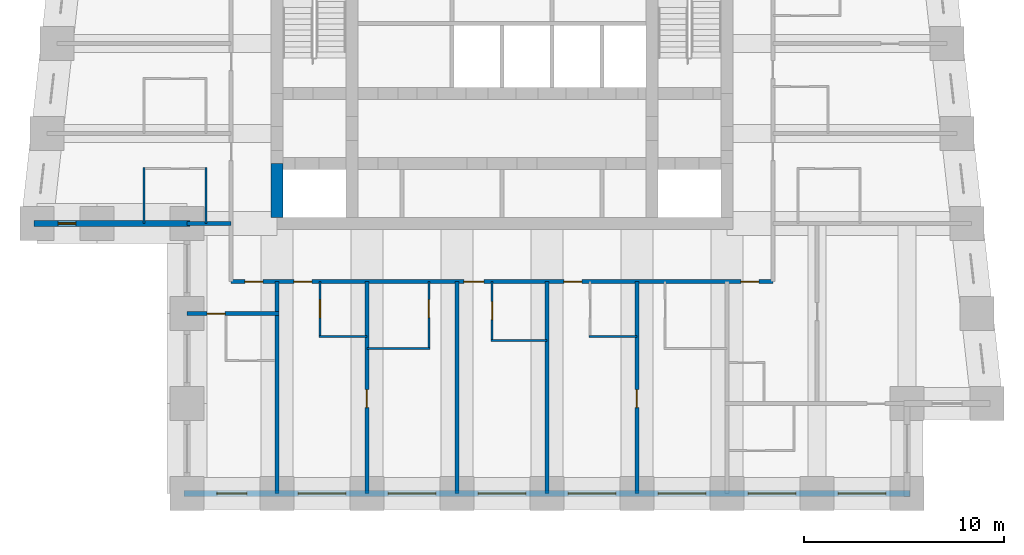
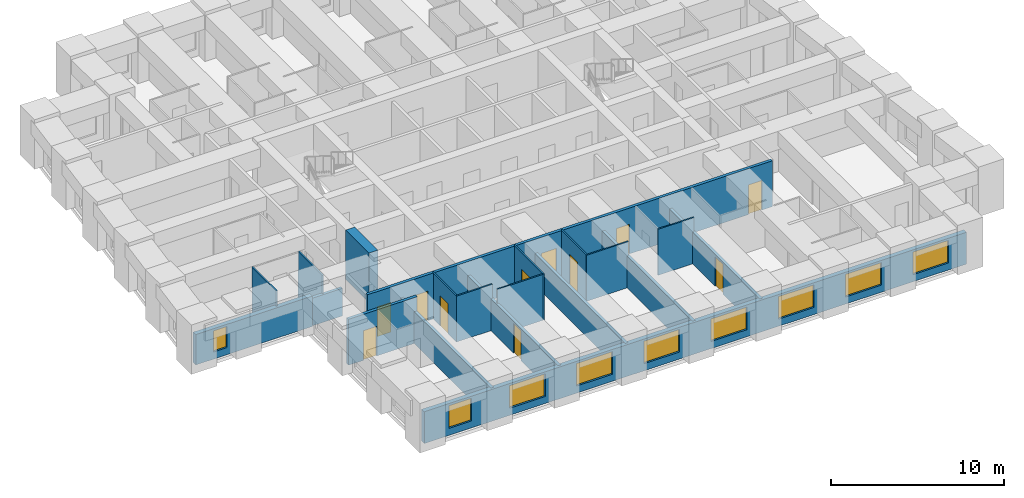
# One storey, part 2 of 8: 20 walls, 11 doors, 9 windows, 20 openings.
"""IFC4 building model written with IfcOpenShell, lengths in metres."""

from ifc_helpers import new_model, si_unit, direction, frame, frame_2d, origin, place, context, subcontext, project, spatial, rectangle, extrude, material, layer, layer_set, type_object, element, fill, save


model = new_model("IFC4")

# Units and contexts
model_context = context("Model", 3, precision=1e-05, world=origin(), true_north=direction((0.0, 1.0)))
body_context = subcontext(model_context, "Body", "Model", "MODEL_VIEW")
ifc_project = project(units=[si_unit("LENGTHUNIT", "METRE"), si_unit("AREAUNIT", "SQUARE_METRE"), si_unit("VOLUMEUNIT", "CUBIC_METRE"), si_unit("PLANEANGLEUNIT", "RADIAN"), si_unit("MASSUNIT", "GRAM", prefix="KILO")], contexts=[model_context])

# Site, building, storey
site_placement = place(None, origin())
site = spatial("IfcSite", under=ifc_project, at=site_placement, CompositionType="ELEMENT")
building_placement = place(site_placement, origin())
building = spatial("IfcBuilding", under=site, at=building_placement, Name="Kilele Tower Hotel", CompositionType="ELEMENT")
storey_placement = place(building_placement, frame((0.0, 0.0, 165.89990234375)))
storey = spatial("IfcBuildingStorey", under=building, at=storey_placement, Name="L42", CompositionType="ELEMENT", Elevation=165.89990234375)

# Wall
ifc_material_1 = material(Name="Moisture-resistant board")
ifc_layer_1 = layer(ifc_material_1, 0.10009765625)
ifc_layer_set_1 = layer_set([ifc_layer_1], Name="Moisture-resistant board")
wall_type_1 = type_object("IfcWallType", Name="Bathroom partition 100", PredefinedType="PLUMBINGWALL", material=ifc_layer_set_1)
wall_1_placement = place(storey_placement, frame((15.60009765625, 7.85009765625, 0.0), z_axis=(0.0, 0.0, 1.0), x_axis=(1.0, 0.0, 0.0)))
element("IfcWall", 1, at=wall_1_placement, inside=storey, type_object=wall_type_1, Name="Bathroom partition 100 L42", PredefinedType="PLUMBINGWALL", context=body_context, shape_type="SweptSolid", body=[
    extrude(rectangle(XDim=2.39990234375, YDim=0.10009765625, at=frame_2d((1.199951171875, 0.0))), origin(), (0.0, 0.0, 1.0), 3.25),
])

# Wall, opening, door
wall_2_placement = place(storey_placement, frame((15.64990234375, 10.60009765625, 0.0), z_axis=(0.0, 0.0, 1.0), x_axis=(0.0, -1.0, 0.0)))
wall_2 = element("IfcWall", 2, at=wall_2_placement, inside=storey, type_object=wall_type_1, Name="Bathroom partition 100 L42", PredefinedType="PLUMBINGWALL", context=body_context, shape_type="SweptSolid", body=[
    extrude(rectangle(XDim=2.800048828125, YDim=0.10009765625, at=frame_2d((1.39990234375, 0.0))), origin(), (0.0, 0.0, 1.0), 3.25),
])
opening_1_placement = place(wall_2_placement, frame((1.7998046875, 0.0, 0.0), z_axis=(0.0, 0.0, 1.0), x_axis=(-1.0, 0.0, 0.0)))
opening_1 = element("IfcOpeningElement", 3, at=opening_1_placement, cuts=wall_2, Name="Opening D2A", PredefinedType="OPENING", context=body_context, shape_type="SweptSolid", body=[
    extrude(rectangle(XDim=0.89990234375, YDim=2.10009765625, at=frame_2d((0.449951171875, 1.050048828125))), frame((0.0, 0.06005859375, 0.0), z_axis=(0.0, -1.0, 0.0), x_axis=(1.0, 0.0, 0.0)), (0.0, 0.0, 1.0), 0.1201171875),
])
ifc_material_2 = material(Name="Timber door leaf in hardwood frame", Category="wood")
door_type_1 = type_object("IfcDoorType", Name="Bathroom door 900", OperationType="SINGLE_SWING_LEFT", PredefinedType="DOOR", material=ifc_material_2)
door_1_placement = place(opening_1_placement, origin())
door_1 = element("IfcDoor", 4, at=door_1_placement, inside=storey, type_object=door_type_1, Name="Bathroom door 4201B", OperationType="SINGLE_SWING_RIGHT", OverallHeight=2.10009765625, OverallWidth=0.89990234375, PredefinedType="DOOR", context=body_context, shape_type="SweptSolid", body=[
    extrude(rectangle(XDim=0.89990234375, YDim=2.10009765625, at=frame_2d((0.449951171875, 1.050048828125))), frame((0.0, 0.02490234375, 0.0), z_axis=(0.0, -1.0, 0.0), x_axis=(1.0, 0.0, 0.0)), (0.0, 0.0, 1.0), 0.050048828125),
])
fill(opening_1, door_1)

# Wall
wall_3_placement = place(storey_placement, frame((18.0, 7.25, 0.0), z_axis=(0.0, 0.0, 1.0), x_axis=(1.0, 0.0, 0.0)))
element("IfcWall", 5, at=wall_3_placement, inside=storey, type_object=wall_type_1, Name="Bathroom partition 100 L42", PredefinedType="PLUMBINGWALL", context=body_context, shape_type="SweptSolid", body=[
    extrude(rectangle(XDim=3.14990234375, YDim=0.10009765625, at=frame_2d((1.574951171875, 0.0))), origin(), (0.0, 0.0, 1.0), 3.25),
])

# Wall, opening, door
wall_4_placement = place(storey_placement, frame((21.10009765625, 10.60009765625, 0.0), z_axis=(0.0, 0.0, 1.0), x_axis=(0.0, -1.0, 0.0)))
wall_4 = element("IfcWall", 6, at=wall_4_placement, inside=storey, type_object=wall_type_1, Name="Bathroom partition 100 L42", PredefinedType="PLUMBINGWALL", context=body_context, shape_type="SweptSolid", body=[
    extrude(rectangle(XDim=3.400146484375, YDim=0.10009765625, at=frame_2d((1.7001953125, 0.0))), origin(), (0.0, 0.0, 1.0), 3.25),
])
opening_2_placement = place(wall_4_placement, frame((0.89990234375, 0.0, 0.0)))
opening_2 = element("IfcOpeningElement", 7, at=opening_2_placement, cuts=wall_4, Name="Opening D2A", PredefinedType="OPENING", context=body_context, shape_type="SweptSolid", body=[
    extrude(rectangle(XDim=0.89990234375, YDim=2.10009765625, at=frame_2d((0.449951171875, 1.050048828125))), frame((0.0, 0.06005859375, 0.0), z_axis=(0.0, -1.0, 0.0), x_axis=(1.0, 0.0, 0.0)), (0.0, 0.0, 1.0), 0.1201171875),
])
door_2_placement = place(opening_2_placement, origin())
door_2 = element("IfcDoor", 8, at=door_2_placement, inside=storey, type_object=door_type_1, Name="Bathroom door 4202B", OperationType="SINGLE_SWING_LEFT", OverallHeight=2.10009765625, OverallWidth=0.89990234375, PredefinedType="DOOR", context=body_context, shape_type="SweptSolid", body=[
    extrude(rectangle(XDim=0.89990234375, YDim=2.10009765625, at=frame_2d((0.449951171875, 1.050048828125))), frame((0.0, 0.02490234375, 0.0), z_axis=(0.0, -1.0, 0.0), x_axis=(1.0, 0.0, 0.0)), (0.0, 0.0, 1.0), 0.050048828125),
])
fill(opening_2, door_2)

# Wall
wall_5_placement = place(storey_placement, frame((24.199951171875, 7.64990234375, 0.0), z_axis=(0.0, 0.0, 1.0), x_axis=(1.0, 0.0, 0.0)))
element("IfcWall", 9, at=wall_5_placement, inside=storey, type_object=wall_type_1, Name="Bathroom partition 100 L42", PredefinedType="PLUMBINGWALL", context=body_context, shape_type="SweptSolid", body=[
    extrude(rectangle(XDim=2.800048828125, YDim=0.10009765625, at=frame_2d((1.39990234375, 0.0))), origin(), (0.0, 0.0, 1.0), 3.25),
])

# Wall, opening, door
wall_6_placement = place(storey_placement, frame((24.25, 10.60009765625, 0.0), z_axis=(0.0, 0.0, 1.0), x_axis=(0.0, -1.0, 0.0)))
wall_6 = element("IfcWall", 10, at=wall_6_placement, inside=storey, type_object=wall_type_1, Name="Bathroom partition 100 L42", PredefinedType="PLUMBINGWALL", context=body_context, shape_type="SweptSolid", body=[
    extrude(rectangle(XDim=3.0, YDim=0.10009765625, at=frame_2d((1.5, 0.0))), origin(), (0.0, 0.0, 1.0), 3.25),
])
opening_3_placement = place(wall_6_placement, frame((1.89990234375, 0.0, 0.0), z_axis=(0.0, 0.0, 1.0), x_axis=(-1.0, 0.0, 0.0)))
opening_3 = element("IfcOpeningElement", 11, at=opening_3_placement, cuts=wall_6, Name="Opening D2A", PredefinedType="OPENING", context=body_context, shape_type="SweptSolid", body=[
    extrude(rectangle(XDim=0.89990234375, YDim=2.10009765625, at=frame_2d((0.449951171875, 1.050048828125))), frame((0.0, 0.06005859375, 0.0), z_axis=(0.0, -1.0, 0.0), x_axis=(1.0, 0.0, 0.0)), (0.0, 0.0, 1.0), 0.1201171875),
])
door_3_placement = place(opening_3_placement, origin())
door_3 = element("IfcDoor", 12, at=door_3_placement, inside=storey, type_object=door_type_1, Name="Bathroom door 4203B", OperationType="SINGLE_SWING_RIGHT", OverallHeight=2.10009765625, OverallWidth=0.89990234375, PredefinedType="DOOR", context=body_context, shape_type="SweptSolid", body=[
    extrude(rectangle(XDim=0.89990234375, YDim=2.10009765625, at=frame_2d((0.449951171875, 1.050048828125))), frame((0.0, 0.02490234375, 0.0), z_axis=(0.0, -1.0, 0.0), x_axis=(1.0, 0.0, 0.0)), (0.0, 0.0, 1.0), 0.050048828125),
])
fill(opening_3, door_3)

# Walls
wall_7_placement = place(storey_placement, frame((29.10009765625, 7.85009765625, 0.0), z_axis=(0.0, 0.0, 1.0), x_axis=(1.0, 0.0, 0.0)))
element("IfcWall", 13, at=wall_7_placement, inside=storey, type_object=wall_type_1, Name="Bathroom partition 100 L42", PredefinedType="PLUMBINGWALL", context=body_context, shape_type="SweptSolid", body=[
    extrude(rectangle(XDim=2.39990234375, YDim=0.10009765625, at=frame_2d((1.199951171875, 0.0))), origin(), (0.0, 0.0, 1.0), 3.25),
])
for number, where, z_axis, x_axis, name in (
    (14, (9.949951171875, 13.5, 0.0), (0.0, 0.0, 1.0), (0.0, 1.0, 0.0), "Bathroom partition 100 L42"),
    (15, (6.85009765625, 13.5, 0.0), (0.0, 0.0, 1.0), (0.0, 1.0, 0.0), "Bathroom partition 100 L42"),
):
    element("IfcWall", number, at=place(storey_placement, frame(where, z_axis=z_axis, x_axis=x_axis)), inside=storey, type_object=wall_type_1, Name=name, PredefinedType="PLUMBINGWALL", context=body_context, shape_type="SweptSolid", body=[
        extrude(rectangle(XDim=2.800048828125, YDim=0.10009765625, at=frame_2d((1.39990234375, 0.0))), origin(), (0.0, 0.0, 1.0), 3.25),
    ])
ifc_material_3 = material(Name="Concrete C70/85", Category="concrete")
ifc_layer_2 = layer(ifc_material_3, 0.60009765625)
ifc_layer_set_2 = layer_set([ifc_layer_2], Name="Concrete C70/85")
wall_type_2 = type_object("IfcWallType", Name="Core wall 600 C70/85", PredefinedType="SHEAR", material=ifc_layer_set_2)
wall_8_placement = place(storey_placement, frame((13.5, 16.5, 0.0), z_axis=(0.0, 0.0, 1.0), x_axis=(0.0, -1.0, 0.0)))
element("IfcWall", 16, at=wall_8_placement, inside=storey, type_object=wall_type_2, Name="Core wall W3 L42", PredefinedType="SHEAR", context=body_context, shape_type="SweptSolid", body=[
    extrude(rectangle(XDim=2.699951171875, YDim=0.60009765625, at=frame_2d((1.35009765625, 0.0))), origin(), (0.0, 0.0, 1.0), 3.5),
])

# Wall, openings, doors
ifc_material_4 = material(Name="Blockwork, plastered both sides", Category="masonry")
ifc_layer_3 = layer(ifc_material_4, 0.199951171875)
ifc_layer_set_3 = layer_set([ifc_layer_3], Name="Blockwork, plastered both sides")
wall_type_3 = type_object("IfcWallType", Name="Corridor wall 200", PredefinedType="PARTITIONING", material=ifc_layer_set_3)
wall_9_placement = place(storey_placement, frame((11.199951171875, 10.60009765625, 0.0), z_axis=(0.0, 0.0, 1.0), x_axis=(1.0, 0.0, 0.0)))
wall_9 = element("IfcWall", 17, at=wall_9_placement, inside=storey, type_object=wall_type_3, Name="Corridor wall 200 L42", PredefinedType="PARTITIONING", context=body_context, shape_type="SweptSolid", body=[
    extrude(rectangle(XDim=27.10009765625, YDim=0.199951171875, at=frame_2d((13.550048828125, 0.0))), origin(), (0.0, 0.0, 1.0), 3.25),
])
opening_4_placement = place(wall_9_placement, frame((4.0498046875, 0.0, 0.0), z_axis=(0.0, 0.0, 1.0), x_axis=(-1.0, 0.0, 0.0)))
opening_4 = element("IfcOpeningElement", 18, at=opening_4_placement, cuts=wall_9, Name="Opening D1", PredefinedType="OPENING", context=body_context, shape_type="SweptSolid", body=[
    extrude(rectangle(XDim=0.89990234375, YDim=2.10009765625, at=frame_2d((0.449951171875, 1.050048828125))), frame((0.0, 0.10986328125, 0.0), z_axis=(0.0, -1.0, 0.0), x_axis=(1.0, 0.0, 0.0)), (0.0, 0.0, 1.0), 0.219970703125),
])
opening_5_placement = place(wall_9_placement, frame((12.64990234375, 0.0, 0.0), z_axis=(0.0, 0.0, 1.0), x_axis=(-1.0, 0.0, 0.0)))
opening_5 = element("IfcOpeningElement", 19, at=opening_5_placement, cuts=wall_9, Name="Opening D1A", PredefinedType="OPENING", context=body_context, shape_type="SweptSolid", body=[
    extrude(rectangle(XDim=1.0, YDim=2.10009765625, at=frame_2d((0.5, 1.050048828125))), frame((0.0, 0.10986328125, 0.0), z_axis=(0.0, -1.0, 0.0), x_axis=(1.0, 0.0, 0.0)), (0.0, 0.0, 1.0), 0.219970703125),
])
opening_6_placement = place(wall_9_placement, frame((17.5498046875, 0.0, 0.0), z_axis=(0.0, 0.0, 1.0), x_axis=(-1.0, 0.0, 0.0)))
opening_6 = element("IfcOpeningElement", 20, at=opening_6_placement, cuts=wall_9, Name="Opening D1", PredefinedType="OPENING", context=body_context, shape_type="SweptSolid", body=[
    extrude(rectangle(XDim=0.89990234375, YDim=2.10009765625, at=frame_2d((0.449951171875, 1.050048828125))), frame((0.0, 0.10986328125, 0.0), z_axis=(0.0, -1.0, 0.0), x_axis=(1.0, 0.0, 0.0)), (0.0, 0.0, 1.0), 0.219970703125),
])
opening_7_placement = place(wall_9_placement, frame((1.599853515625, 0.0, 0.0), z_axis=(0.0, 0.0, 1.0), x_axis=(-1.0, 0.0, 0.0)))
opening_7 = element("IfcOpeningElement", 21, at=opening_7_placement, cuts=wall_9, Name="Opening D1", PredefinedType="OPENING", context=body_context, shape_type="SweptSolid", body=[
    extrude(rectangle(XDim=0.89990234375, YDim=2.10009765625, at=frame_2d((0.449951171875, 1.050048828125))), frame((0.0, 0.10986328125, 0.0), z_axis=(0.0, -1.0, 0.0), x_axis=(1.0, 0.0, 0.0)), (0.0, 0.0, 1.0), 0.219970703125),
])
opening_8_placement = place(wall_9_placement, frame((26.39990234375, 0.0, 0.0), z_axis=(0.0, 0.0, 1.0), x_axis=(-1.0, 0.0, 0.0)))
opening_8 = element("IfcOpeningElement", 22, at=opening_8_placement, cuts=wall_9, Name="Opening D1", PredefinedType="OPENING", context=body_context, shape_type="SweptSolid", body=[
    extrude(rectangle(XDim=0.89990234375, YDim=2.10009765625, at=frame_2d((0.449951171875, 1.050048828125))), frame((0.0, 0.10986328125, 0.0), z_axis=(0.0, -1.0, 0.0), x_axis=(1.0, 0.0, 0.0)), (0.0, 0.0, 1.0), 0.219970703125),
])
ifc_material_5 = material(Name="Timber door leaf in hardwood frame", Category="wood")
door_type_2 = type_object("IfcDoorType", Name="Guest room entrance door 1000", OperationType="SINGLE_SWING_LEFT", PredefinedType="DOOR", material=ifc_material_5)
door_4_placement = place(opening_5_placement, origin())
door_4 = element("IfcDoor", 23, at=door_4_placement, inside=storey, type_object=door_type_2, Name="Room entrance 4203", OperationType="SINGLE_SWING_RIGHT", OverallHeight=2.10009765625, OverallWidth=1.0, PredefinedType="DOOR", context=body_context, shape_type="SweptSolid", body=[
    extrude(rectangle(XDim=1.0, YDim=2.10009765625, at=frame_2d((0.5, 1.050048828125))), frame((0.0, 0.02490234375, 0.0), z_axis=(0.0, -1.0, 0.0), x_axis=(1.0, 0.0, 0.0)), (0.0, 0.0, 1.0), 0.050048828125),
])
fill(opening_5, door_4)
ifc_material_6 = material(Name="Timber door leaf in hardwood frame", Category="wood")
door_type_3 = type_object("IfcDoorType", Name="Guest room entrance door 900", OperationType="SINGLE_SWING_LEFT", PredefinedType="DOOR", material=ifc_material_6)
door_5_placement = place(opening_4_placement, origin())
door_5 = element("IfcDoor", 24, at=door_5_placement, inside=storey, type_object=door_type_3, Name="Room entrance 4201", OperationType="SINGLE_SWING_LEFT", OverallHeight=2.10009765625, OverallWidth=0.89990234375, PredefinedType="DOOR", context=body_context, shape_type="SweptSolid", body=[
    extrude(rectangle(XDim=0.89990234375, YDim=2.10009765625, at=frame_2d((0.449951171875, 1.050048828125))), frame((0.0, 0.02490234375, 0.0), z_axis=(0.0, -1.0, 0.0), x_axis=(1.0, 0.0, 0.0)), (0.0, 0.0, 1.0), 0.050048828125),
])
fill(opening_4, door_5)
door_6_placement = place(opening_6_placement, origin())
door_6 = element("IfcDoor", 25, at=door_6_placement, inside=storey, type_object=door_type_3, Name="Room entrance 4204", OperationType="SINGLE_SWING_LEFT", OverallHeight=2.10009765625, OverallWidth=0.89990234375, PredefinedType="DOOR", context=body_context, shape_type="SweptSolid", body=[
    extrude(rectangle(XDim=0.89990234375, YDim=2.10009765625, at=frame_2d((0.449951171875, 1.050048828125))), frame((0.0, 0.02490234375, 0.0), z_axis=(0.0, -1.0, 0.0), x_axis=(1.0, 0.0, 0.0)), (0.0, 0.0, 1.0), 0.050048828125),
])
fill(opening_6, door_6)
door_7_placement = place(opening_7_placement, origin())
door_7 = element("IfcDoor", 26, at=door_7_placement, inside=storey, type_object=door_type_3, Name="Room entrance 4217", OperationType="SINGLE_SWING_LEFT", OverallHeight=2.10009765625, OverallWidth=0.89990234375, PredefinedType="DOOR", context=body_context, shape_type="SweptSolid", body=[
    extrude(rectangle(XDim=0.89990234375, YDim=2.10009765625, at=frame_2d((0.449951171875, 1.050048828125))), frame((0.0, 0.02490234375, 0.0), z_axis=(0.0, -1.0, 0.0), x_axis=(1.0, 0.0, 0.0)), (0.0, 0.0, 1.0), 0.050048828125),
])
fill(opening_7, door_7)
door_8_placement = place(opening_8_placement, origin())
door_8 = element("IfcDoor", 27, at=door_8_placement, inside=storey, type_object=door_type_3, Name="Room entrance 4219", OperationType="SINGLE_SWING_RIGHT", OverallHeight=2.10009765625, OverallWidth=0.89990234375, PredefinedType="DOOR", context=body_context, shape_type="SweptSolid", body=[
    extrude(rectangle(XDim=0.89990234375, YDim=2.10009765625, at=frame_2d((0.449951171875, 1.050048828125))), frame((0.0, 0.02490234375, 0.0), z_axis=(0.0, -1.0, 0.0), x_axis=(1.0, 0.0, 0.0)), (0.0, 0.0, 1.0), 0.050048828125),
])
fill(opening_8, door_8)

# Wall, opening, door
ifc_material_7 = material(Name="Blockwork, plastered both sides", Category="masonry")
ifc_layer_4 = layer(ifc_material_7, 0.199951171875)
ifc_layer_set_4 = layer_set([ifc_layer_4], Name="Blockwork, plastered both sides")
wall_type_4 = type_object("IfcWallType", Name="Party wall 200", PredefinedType="PARTITIONING", material=ifc_layer_set_4)
wall_10_placement = place(storey_placement, frame((18.0, 10.60009765625, 0.0), z_axis=(0.0, 0.0, 1.0), x_axis=(0.0, -1.0, 0.0)))
wall_10 = element("IfcWall", 28, at=wall_10_placement, inside=storey, type_object=wall_type_4, Name="Party wall 200 L42", PredefinedType="PARTITIONING", context=body_context, shape_type="SweptSolid", body=[
    extrude(rectangle(XDim=10.60009765625, YDim=0.199951171875, at=frame_2d((5.300048828125, 0.0))), origin(), (0.0, 0.0, 1.0), 2.25),
])
opening_9_placement = place(wall_10_placement, frame((5.39990234375, 0.0, 0.0)))
opening_9 = element("IfcOpeningElement", 29, at=opening_9_placement, cuts=wall_10, Name="Opening D3", PredefinedType="OPENING", context=body_context, shape_type="SweptSolid", body=[
    extrude(rectangle(XDim=0.89990234375, YDim=2.10009765625, at=frame_2d((0.449951171875, 1.050048828125))), frame((0.0, 0.10986328125, 0.0), z_axis=(0.0, -1.0, 0.0), x_axis=(1.0, 0.0, 0.0)), (0.0, 0.0, 1.0), 0.219970703125),
])
ifc_material_8 = material(Name="Timber door leaf in hardwood frame", Category="wood")
door_type_4 = type_object("IfcDoorType", Name="Suite internal door 900", OperationType="SINGLE_SWING_LEFT", PredefinedType="DOOR", material=ifc_material_8)
door_9_placement = place(opening_9_placement, origin())
door_9 = element("IfcDoor", 30, at=door_9_placement, inside=storey, type_object=door_type_4, Name="Suite door 4202", OperationType="SINGLE_SWING_RIGHT", OverallHeight=2.10009765625, OverallWidth=0.89990234375, PredefinedType="DOOR", context=body_context, shape_type="SweptSolid", body=[
    extrude(rectangle(XDim=0.89990234375, YDim=2.10009765625, at=frame_2d((0.449951171875, 1.050048828125))), frame((0.0, 0.02490234375, 0.0), z_axis=(0.0, -1.0, 0.0), x_axis=(1.0, 0.0, 0.0)), (0.0, 0.0, 1.0), 0.050048828125),
])
fill(opening_9, door_9)

# Walls
for number, where, z_axis, x_axis, name in (
    (31, (22.5, 10.60009765625, 0.0), (0.0, 0.0, 1.0), (0.0, -1.0, 0.0), "Party wall 200 L42"),
    (32, (27.0, 10.60009765625, 0.0), (0.0, 0.0, 1.0), (0.0, -1.0, 0.0), "Party wall 200 L42"),
):
    element("IfcWall", number, at=place(storey_placement, frame(where, z_axis=z_axis, x_axis=x_axis)), inside=storey, type_object=wall_type_4, Name=name, PredefinedType="PARTITIONING", context=body_context, shape_type="SweptSolid", body=[
        extrude(rectangle(XDim=10.60009765625, YDim=0.199951171875, at=frame_2d((5.300048828125, 0.0))), origin(), (0.0, 0.0, 1.0), 2.25),
    ])

# Wall, opening, door
wall_11_placement = place(storey_placement, frame((31.5, 10.60009765625, 0.0), z_axis=(0.0, 0.0, 1.0), x_axis=(0.0, -1.0, 0.0)))
wall_11 = element("IfcWall", 33, at=wall_11_placement, inside=storey, type_object=wall_type_4, Name="Party wall 200 L42", PredefinedType="PARTITIONING", context=body_context, shape_type="SweptSolid", body=[
    extrude(rectangle(XDim=10.60009765625, YDim=0.199951171875, at=frame_2d((5.300048828125, 0.0))), origin(), (0.0, 0.0, 1.0), 2.25),
])
opening_10_placement = place(wall_11_placement, frame((5.39990234375, 0.0, 0.0)))
opening_10 = element("IfcOpeningElement", 34, at=opening_10_placement, cuts=wall_11, Name="Opening D3", PredefinedType="OPENING", context=body_context, shape_type="SweptSolid", body=[
    extrude(rectangle(XDim=0.89990234375, YDim=2.10009765625, at=frame_2d((0.449951171875, 1.050048828125))), frame((0.0, 0.10986328125, 0.0), z_axis=(0.0, -1.0, 0.0), x_axis=(1.0, 0.0, 0.0)), (0.0, 0.0, 1.0), 0.219970703125),
])
door_10_placement = place(opening_10_placement, origin())
door_10 = element("IfcDoor", 35, at=door_10_placement, inside=storey, type_object=door_type_4, Name="Suite door 4205", OperationType="SINGLE_SWING_RIGHT", OverallHeight=2.10009765625, OverallWidth=0.89990234375, PredefinedType="DOOR", context=body_context, shape_type="SweptSolid", body=[
    extrude(rectangle(XDim=0.89990234375, YDim=2.10009765625, at=frame_2d((0.449951171875, 1.050048828125))), frame((0.0, 0.02490234375, 0.0), z_axis=(0.0, -1.0, 0.0), x_axis=(1.0, 0.0, 0.0)), (0.0, 0.0, 1.0), 0.050048828125),
])
fill(opening_10, door_10)

# Walls
wall_12_placement = place(storey_placement, frame((11.199951171875, 13.5, 0.0), z_axis=(0.0, 0.0, 1.0), x_axis=(-1.0, 0.0, 0.0)))
element("IfcWall", 36, at=wall_12_placement, inside=storey, type_object=wall_type_4, Name="Party wall 200 L42", PredefinedType="PARTITIONING", context=body_context, shape_type="SweptSolid", body=[
    extrude(rectangle(XDim=2.199951171875, YDim=0.199951171875, at=frame_2d((1.10009765625, 0.0))), origin(), (0.0, 0.0, 1.0), 1.9501953125),
])
wall_13_placement = place(storey_placement, frame((13.5, 10.60009765625, 0.0), z_axis=(0.0, 0.0, 1.0), x_axis=(0.0, -1.0, 0.0)))
element("IfcWall", 37, at=wall_13_placement, inside=storey, type_object=wall_type_4, Name="Party wall 200 L42", PredefinedType="PARTITIONING", context=body_context, shape_type="SweptSolid", body=[
    extrude(rectangle(XDim=10.60009765625, YDim=0.199951171875, at=frame_2d((5.300048828125, 0.0))), origin(), (0.0, 0.0, 1.0), 2.25),
])

# Wall, opening, door
wall_14_placement = place(storey_placement, frame((13.60009765625, 9.0, 0.0), z_axis=(0.0, 0.0, 1.0), x_axis=(-1.0, 0.0, 0.0)))
wall_14 = element("IfcWall", 38, at=wall_14_placement, inside=storey, type_object=wall_type_4, Name="Party wall 200 L42", PredefinedType="PARTITIONING", context=body_context, shape_type="SweptSolid", body=[
    extrude(rectangle(XDim=4.60009765625, YDim=0.199951171875, at=frame_2d((2.300048828125, 0.0))), origin(), (0.0, 0.0, 1.0), 3.25),
])
opening_11_placement = place(wall_14_placement, frame((2.699951171875, 0.0, 0.0)))
opening_11 = element("IfcOpeningElement", 39, at=opening_11_placement, cuts=wall_14, Name="Opening D3", PredefinedType="OPENING", context=body_context, shape_type="SweptSolid", body=[
    extrude(rectangle(XDim=0.89990234375, YDim=2.10009765625, at=frame_2d((0.449951171875, 1.050048828125))), frame((0.0, 0.10986328125, 0.0), z_axis=(0.0, -1.0, 0.0), x_axis=(1.0, 0.0, 0.0)), (0.0, 0.0, 1.0), 0.219970703125),
])
door_11_placement = place(opening_11_placement, origin())
door_11 = element("IfcDoor", 40, at=door_11_placement, inside=storey, type_object=door_type_4, Name="Suite door 4218", OperationType="SINGLE_SWING_LEFT", OverallHeight=2.10009765625, OverallWidth=0.89990234375, PredefinedType="DOOR", context=body_context, shape_type="SweptSolid", body=[
    extrude(rectangle(XDim=0.89990234375, YDim=2.10009765625, at=frame_2d((0.449951171875, 1.050048828125))), frame((0.0, 0.02490234375, 0.0), z_axis=(0.0, -1.0, 0.0), x_axis=(1.0, 0.0, 0.0)), (0.0, 0.0, 1.0), 0.050048828125),
])
fill(opening_11, door_11)

# Wall, opening, window
ifc_material_9 = material(Name="Concrete C40/50 precast", Category="concrete")
ifc_layer_5 = layer(ifc_material_9, 0.260009765625, Name="Precast backing", Category="LoadBearing")
ifc_material_10 = material(Name="Reconstituted stone finish", Category="masonry")
ifc_layer_6 = layer(ifc_material_10, 0.0400390625, Name="Face mix", Category="Finish")
ifc_layer_set_5 = layer_set([ifc_layer_5, ifc_layer_6], Name="Precast concrete C40/50, reconstituted stone finish")
wall_type_5 = type_object("IfcWallType", Name="Precast stone facade wall 300", PredefinedType="STANDARD", material=ifc_layer_set_5)
wall_15_placement = place(storey_placement, frame((1.35009765625, 13.5, 0.0), z_axis=(0.0, 0.0, 1.0), x_axis=(1.0, 0.0, 0.0)))
wall_15 = element("IfcWall", 41, at=wall_15_placement, inside=storey, type_object=wall_type_5, Name="Facade wall L42 edge 1", PredefinedType="STANDARD", context=body_context, shape_type="SweptSolid", body=[
    extrude(rectangle(XDim=7.7998046875, YDim=0.300048828125, at=frame_2d((3.89990234375, 0.0))), origin(), (0.0, 0.0, 1.0), 2.150146484375),
])
opening_12_placement = place(wall_15_placement, frame((1.199951171875, 0.0, 0.5)))
opening_12 = element("IfcOpeningElement", 42, at=opening_12_placement, cuts=wall_15, Name="Opening W3", PredefinedType="OPENING", context=body_context, shape_type="SweptSolid", body=[
    extrude(rectangle(XDim=0.89990234375, YDim=1.5, at=frame_2d((0.449951171875, 0.75))), frame((0.0, 0.159912109375, 0.0), z_axis=(0.0, -1.0, 0.0), x_axis=(1.0, 0.0, 0.0)), (0.0, 0.0, 1.0), 0.320068359375),
])
ifc_material_11 = material(Name="Aluminium frame, clear double glazing", Category="aluminium")
window_type_1 = type_object("IfcWindowType", Name="Window W3 900 x 1500", PartitioningType="SINGLE_PANEL", PredefinedType="WINDOW", material=ifc_material_11)
window_1_placement = place(opening_12_placement, origin())
window_1 = element("IfcWindow", 43, at=window_1_placement, inside=storey, type_object=window_type_1, Name="Window L42", OverallHeight=1.5, OverallWidth=0.89990234375, PartitioningType="SINGLE_PANEL", PredefinedType="WINDOW", context=body_context, shape_type="SweptSolid", body=[
    extrude(rectangle(XDim=0.89990234375, YDim=1.5, at=frame_2d((0.449951171875, 0.75))), frame((0.0, 0.030029296875, 0.0), z_axis=(0.0, -1.0, 0.0), x_axis=(1.0, 0.0, 0.0)), (0.0, 0.0, 1.0), 0.06005859375),
])
fill(opening_12, window_1)

# Wall, openings, windows
wall_16_placement = place(storey_placement, frame((8.85009765625, 0.0, 0.0), z_axis=(0.0, 0.0, 1.0), x_axis=(1.0, 0.0, 0.0)))
wall_16 = element("IfcWall", 44, at=wall_16_placement, inside=storey, type_object=wall_type_5, Name="Facade wall L42 edge 3", PredefinedType="STANDARD", context=body_context, shape_type="SweptSolid", body=[
    extrude(rectangle(XDim=36.2998046875, YDim=0.300048828125, at=frame_2d((18.14990234375, 0.0))), origin(), (0.0, 0.0, 1.0), 2.25),
])
opening_13_placement = place(wall_16_placement, frame((1.64990234375, 0.0, 0.5)))
opening_13 = element("IfcOpeningElement", 45, at=opening_13_placement, cuts=wall_16, Name="Opening W3", PredefinedType="OPENING", context=body_context, shape_type="SweptSolid", body=[
    extrude(rectangle(XDim=1.5, YDim=1.60009765625, at=frame_2d((0.75, 0.800048828125))), frame((0.0, 0.159912109375, 0.0), z_axis=(0.0, -1.0, 0.0), x_axis=(1.0, 0.0, 0.0)), (0.0, 0.0, 1.0), 0.320068359375),
])
opening_14_placement = place(wall_16_placement, frame((5.699951171875, 0.0, 0.5)))
opening_14 = element("IfcOpeningElement", 46, at=opening_14_placement, cuts=wall_16, Name="Opening W3", PredefinedType="OPENING", context=body_context, shape_type="SweptSolid", body=[
    extrude(rectangle(XDim=2.39990234375, YDim=1.60009765625, at=frame_2d((1.199951171875, 0.800048828125))), frame((0.0, 0.159912109375, 0.0), z_axis=(0.0, -1.0, 0.0), x_axis=(1.0, 0.0, 0.0)), (0.0, 0.0, 1.0), 0.320068359375),
])
opening_15_placement = place(wall_16_placement, frame((10.199951171875, 0.0, 0.5)))
opening_15 = element("IfcOpeningElement", 47, at=opening_15_placement, cuts=wall_16, Name="Opening W3", PredefinedType="OPENING", context=body_context, shape_type="SweptSolid", body=[
    extrude(rectangle(XDim=2.39990234375, YDim=1.60009765625, at=frame_2d((1.199951171875, 0.800048828125))), frame((0.0, 0.159912109375, 0.0), z_axis=(0.0, -1.0, 0.0), x_axis=(1.0, 0.0, 0.0)), (0.0, 0.0, 1.0), 0.320068359375),
])
opening_16_placement = place(wall_16_placement, frame((14.699951171875, 0.0, 0.5)))
opening_16 = element("IfcOpeningElement", 48, at=opening_16_placement, cuts=wall_16, Name="Opening W3", PredefinedType="OPENING", context=body_context, shape_type="SweptSolid", body=[
    extrude(rectangle(XDim=2.39990234375, YDim=1.60009765625, at=frame_2d((1.199951171875, 0.800048828125))), frame((0.0, 0.159912109375, 0.0), z_axis=(0.0, -1.0, 0.0), x_axis=(1.0, 0.0, 0.0)), (0.0, 0.0, 1.0), 0.320068359375),
])
opening_17_placement = place(wall_16_placement, frame((19.199951171875, 0.0, 0.5)))
opening_17 = element("IfcOpeningElement", 49, at=opening_17_placement, cuts=wall_16, Name="Opening W3", PredefinedType="OPENING", context=body_context, shape_type="SweptSolid", body=[
    extrude(rectangle(XDim=2.39990234375, YDim=1.60009765625, at=frame_2d((1.199951171875, 0.800048828125))), frame((0.0, 0.159912109375, 0.0), z_axis=(0.0, -1.0, 0.0), x_axis=(1.0, 0.0, 0.0)), (0.0, 0.0, 1.0), 0.320068359375),
])
opening_18_placement = place(wall_16_placement, frame((23.699951171875, 0.0, 0.5)))
opening_18 = element("IfcOpeningElement", 50, at=opening_18_placement, cuts=wall_16, Name="Opening W3", PredefinedType="OPENING", context=body_context, shape_type="SweptSolid", body=[
    extrude(rectangle(XDim=2.39990234375, YDim=1.60009765625, at=frame_2d((1.199951171875, 0.800048828125))), frame((0.0, 0.159912109375, 0.0), z_axis=(0.0, -1.0, 0.0), x_axis=(1.0, 0.0, 0.0)), (0.0, 0.0, 1.0), 0.320068359375),
])
opening_19_placement = place(wall_16_placement, frame((28.199951171875, 0.0, 0.5)))
opening_19 = element("IfcOpeningElement", 51, at=opening_19_placement, cuts=wall_16, Name="Opening W3", PredefinedType="OPENING", context=body_context, shape_type="SweptSolid", body=[
    extrude(rectangle(XDim=2.39990234375, YDim=1.60009765625, at=frame_2d((1.199951171875, 0.800048828125))), frame((0.0, 0.159912109375, 0.0), z_axis=(0.0, -1.0, 0.0), x_axis=(1.0, 0.0, 0.0)), (0.0, 0.0, 1.0), 0.320068359375),
])
opening_20_placement = place(wall_16_placement, frame((32.699951171875, 0.0, 0.5)))
opening_20 = element("IfcOpeningElement", 52, at=opening_20_placement, cuts=wall_16, Name="Opening W3", PredefinedType="OPENING", context=body_context, shape_type="SweptSolid", body=[
    extrude(rectangle(XDim=2.39990234375, YDim=1.60009765625, at=frame_2d((1.199951171875, 0.800048828125))), frame((0.0, 0.159912109375, 0.0), z_axis=(0.0, -1.0, 0.0), x_axis=(1.0, 0.0, 0.0)), (0.0, 0.0, 1.0), 0.320068359375),
])
ifc_material_12 = material(Name="Aluminium frame, clear double glazing", Category="aluminium")
window_type_2 = type_object("IfcWindowType", Name="Window W3 1500 x 1600", PartitioningType="SINGLE_PANEL", PredefinedType="WINDOW", material=ifc_material_12)
window_2_placement = place(opening_13_placement, origin())
window_2 = element("IfcWindow", 53, at=window_2_placement, inside=storey, type_object=window_type_2, Name="Window L42", OverallHeight=1.60009765625, OverallWidth=1.5, PartitioningType="SINGLE_PANEL", PredefinedType="WINDOW", context=body_context, shape_type="SweptSolid", body=[
    extrude(rectangle(XDim=1.5, YDim=1.60009765625, at=frame_2d((0.75, 0.800048828125))), frame((0.0, 0.030029296875, 0.0), z_axis=(0.0, -1.0, 0.0), x_axis=(1.0, 0.0, 0.0)), (0.0, 0.0, 1.0), 0.06005859375),
])
fill(opening_13, window_2)
ifc_material_13 = material(Name="Aluminium frame, clear double glazing", Category="aluminium")
window_type_3 = type_object("IfcWindowType", Name="Window W3 2400 x 1600", PartitioningType="SINGLE_PANEL", PredefinedType="WINDOW", material=ifc_material_13)
window_3_placement = place(opening_14_placement, origin())
window_3 = element("IfcWindow", 54, at=window_3_placement, inside=storey, type_object=window_type_3, Name="Window L42", OverallHeight=1.60009765625, OverallWidth=2.39990234375, PartitioningType="SINGLE_PANEL", PredefinedType="WINDOW", context=body_context, shape_type="SweptSolid", body=[
    extrude(rectangle(XDim=2.39990234375, YDim=1.60009765625, at=frame_2d((1.199951171875, 0.800048828125))), frame((0.0, 0.030029296875, 0.0), z_axis=(0.0, -1.0, 0.0), x_axis=(1.0, 0.0, 0.0)), (0.0, 0.0, 1.0), 0.06005859375),
])
fill(opening_14, window_3)
window_4_placement = place(opening_15_placement, origin())
window_4 = element("IfcWindow", 55, at=window_4_placement, inside=storey, type_object=window_type_3, Name="Window L42", OverallHeight=1.60009765625, OverallWidth=2.39990234375, PartitioningType="SINGLE_PANEL", PredefinedType="WINDOW", context=body_context, shape_type="SweptSolid", body=[
    extrude(rectangle(XDim=2.39990234375, YDim=1.60009765625, at=frame_2d((1.199951171875, 0.800048828125))), frame((0.0, 0.030029296875, 0.0), z_axis=(0.0, -1.0, 0.0), x_axis=(1.0, 0.0, 0.0)), (0.0, 0.0, 1.0), 0.06005859375),
])
fill(opening_15, window_4)
window_5_placement = place(opening_16_placement, origin())
window_5 = element("IfcWindow", 56, at=window_5_placement, inside=storey, type_object=window_type_3, Name="Window L42", OverallHeight=1.60009765625, OverallWidth=2.39990234375, PartitioningType="SINGLE_PANEL", PredefinedType="WINDOW", context=body_context, shape_type="SweptSolid", body=[
    extrude(rectangle(XDim=2.39990234375, YDim=1.60009765625, at=frame_2d((1.199951171875, 0.800048828125))), frame((0.0, 0.030029296875, 0.0), z_axis=(0.0, -1.0, 0.0), x_axis=(1.0, 0.0, 0.0)), (0.0, 0.0, 1.0), 0.06005859375),
])
fill(opening_16, window_5)
window_6_placement = place(opening_17_placement, origin())
window_6 = element("IfcWindow", 57, at=window_6_placement, inside=storey, type_object=window_type_3, Name="Window L42", OverallHeight=1.60009765625, OverallWidth=2.39990234375, PartitioningType="SINGLE_PANEL", PredefinedType="WINDOW", context=body_context, shape_type="SweptSolid", body=[
    extrude(rectangle(XDim=2.39990234375, YDim=1.60009765625, at=frame_2d((1.199951171875, 0.800048828125))), frame((0.0, 0.030029296875, 0.0), z_axis=(0.0, -1.0, 0.0), x_axis=(1.0, 0.0, 0.0)), (0.0, 0.0, 1.0), 0.06005859375),
])
fill(opening_17, window_6)
window_7_placement = place(opening_18_placement, origin())
window_7 = element("IfcWindow", 58, at=window_7_placement, inside=storey, type_object=window_type_3, Name="Window L42", OverallHeight=1.60009765625, OverallWidth=2.39990234375, PartitioningType="SINGLE_PANEL", PredefinedType="WINDOW", context=body_context, shape_type="SweptSolid", body=[
    extrude(rectangle(XDim=2.39990234375, YDim=1.60009765625, at=frame_2d((1.199951171875, 0.800048828125))), frame((0.0, 0.030029296875, 0.0), z_axis=(0.0, -1.0, 0.0), x_axis=(1.0, 0.0, 0.0)), (0.0, 0.0, 1.0), 0.06005859375),
])
fill(opening_18, window_7)
window_8_placement = place(opening_19_placement, origin())
window_8 = element("IfcWindow", 59, at=window_8_placement, inside=storey, type_object=window_type_3, Name="Window L42", OverallHeight=1.60009765625, OverallWidth=2.39990234375, PartitioningType="SINGLE_PANEL", PredefinedType="WINDOW", context=body_context, shape_type="SweptSolid", body=[
    extrude(rectangle(XDim=2.39990234375, YDim=1.60009765625, at=frame_2d((1.199951171875, 0.800048828125))), frame((0.0, 0.030029296875, 0.0), z_axis=(0.0, -1.0, 0.0), x_axis=(1.0, 0.0, 0.0)), (0.0, 0.0, 1.0), 0.06005859375),
])
fill(opening_19, window_8)
window_9_placement = place(opening_20_placement, origin())
window_9 = element("IfcWindow", 60, at=window_9_placement, inside=storey, type_object=window_type_3, Name="Window L42", OverallHeight=1.60009765625, OverallWidth=2.39990234375, PartitioningType="SINGLE_PANEL", PredefinedType="WINDOW", context=body_context, shape_type="SweptSolid", body=[
    extrude(rectangle(XDim=2.39990234375, YDim=1.60009765625, at=frame_2d((1.199951171875, 0.800048828125))), frame((0.0, 0.030029296875, 0.0), z_axis=(0.0, -1.0, 0.0), x_axis=(1.0, 0.0, 0.0)), (0.0, 0.0, 1.0), 0.06005859375),
])
fill(opening_20, window_9)

save(model, "model.ifc")
